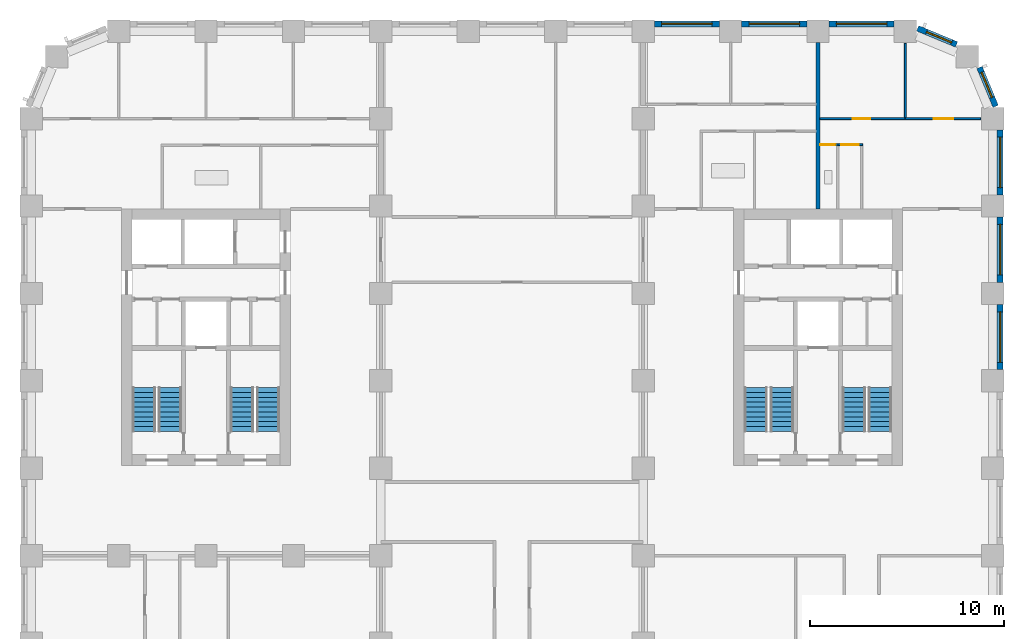
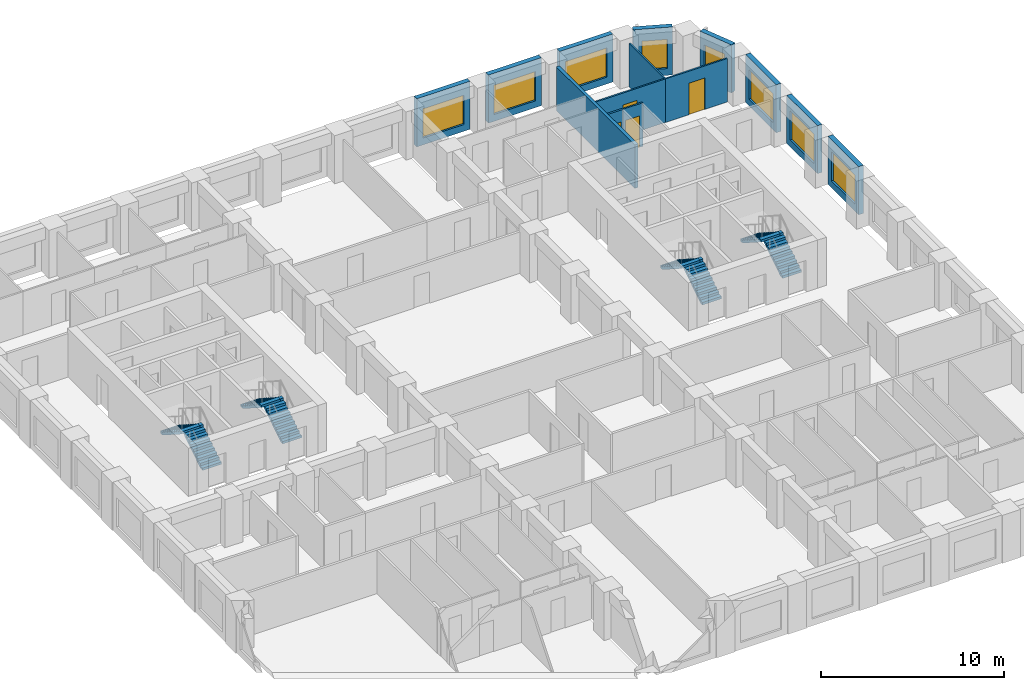
# One storey, part 9 of 12: 14 walls, 8 stair flights, 8 windows, 4 doors, 12 openings, 4 elements without a shape of their own.
"""IFC4 building model written with IfcOpenShell, lengths in metres."""

import ifcopenshell
import ifcopenshell.guid

model = None  # the IFC model being written
_history = None  # IfcOwnerHistory: only IFC2X3 demands one
_inside = {}  # id of a spatial element -> (the spatial element, [elements in it])
_under = {}  # id of a project, library or spatial element -> (it, [spatial elements below it])
_declared = {}  # id of a project -> (the project, [libraries it declares])
_typed = {}  # id of a type object -> (the type object, [elements of that type])
_made_of = {}  # id of a material, layer set ... -> (it, [elements and type objects made of it])


def new_model(schema):
    """Start an empty IFC model of exactly this schema.

    Asked for "IFC4X3", IfcOpenShell would pick the latest addendum, in which some entities
    have other attributes; the version numbers below select the first issue.
    IFC2X3 requires an IfcOwnerHistory on every rooted entity: one is made here for all.
    """
    global model, _history
    if schema == "IFC4X3":
        model = ifcopenshell.file(schema_version=(4, 3, 0, 0))
    else:
        model = ifcopenshell.file(schema=schema)
    _inside.clear()
    _under.clear()
    _declared.clear()
    _typed.clear()
    _made_of.clear()
    _history = None
    if model.schema == "IFC2X3":
        org = make("IfcOrganization", Name="unknown")
        user = make(
            "IfcPersonAndOrganization",
            ThePerson=make("IfcPerson", FamilyName="unknown"),
            TheOrganization=org,
        )
        app = make(
            "IfcApplication",
            ApplicationDeveloper=org,
            Version="unknown",
            ApplicationFullName="unknown",
            ApplicationIdentifier="unknown",
        )
        _history = make(
            "IfcOwnerHistory",
            OwningUser=user,
            OwningApplication=app,
            ChangeAction="ADDED",
            CreationDate=0,
        )
    return model


def make(cls, **values):
    """One entity of the class cls with the attributes given. An attribute that is None is left unset."""
    return model.create_entity(
        cls, **{name: value for name, value in values.items() if value is not None}
    )


def rooted(cls, **values):
    """An entity with a GlobalId (a new one), such as an element, a storey or a relation."""
    return make(cls, GlobalId=ifcopenshell.guid.new(), OwnerHistory=_history, **values)


def si_unit(unit_type, name, prefix=None):
    """IfcSIUnit, for example si_unit("LENGTHUNIT", "METRE", prefix="MILLI")."""
    return make("IfcSIUnit", UnitType=unit_type, Prefix=prefix, Name=name)


def assignment(units):
    """IfcUnitAssignment: the units of a project."""
    return None if units is None else make("IfcUnitAssignment", Units=units)


def point(xyz):
    """IfcCartesianPoint."""
    return None if xyz is None else make("IfcCartesianPoint", Coordinates=xyz)


def direction(xyz):
    """IfcDirection."""
    return None if xyz is None else make("IfcDirection", DirectionRatios=xyz)


def frame(location, z_axis=None, x_axis=None):
    """IfcAxis2Placement3D, a coordinate frame: its origin and axes. An axis left out is left unset."""
    return make(
        "IfcAxis2Placement3D",
        Location=point(location),
        Axis=direction(z_axis),
        RefDirection=direction(x_axis),
    )


def frame_2d(location, x_axis=None):
    """IfcAxis2Placement2D, a coordinate frame in the plane: its origin and x axis."""
    return make(
        "IfcAxis2Placement2D", Location=point(location), RefDirection=direction(x_axis)
    )


def origin():
    """The frame at (0, 0, 0) with its axes left unset."""
    return frame((0.0, 0.0, 0.0))


def place(relative_to, where):
    """IfcLocalPlacement: puts the frame where relative to a parent placement (None: the world)."""
    return make(
        "IfcLocalPlacement", PlacementRelTo=relative_to, RelativePlacement=where
    )


def context(
    kind, dimensions, precision=None, world=None, true_north=None, identifier=None
):
    """IfcGeometricRepresentationContext, for example the 3D "Model" context."""
    return make(
        "IfcGeometricRepresentationContext",
        ContextIdentifier=identifier,
        ContextType=kind,
        CoordinateSpaceDimension=dimensions,
        Precision=precision,
        WorldCoordinateSystem=world,
        TrueNorth=true_north,
    )


def subcontext(parent, identifier, kind, view, scale=None):
    """IfcGeometricRepresentationSubContext, for example "Body" below "Model"."""
    return make(
        "IfcGeometricRepresentationSubContext",
        ContextIdentifier=identifier,
        ContextType=kind,
        ParentContext=parent,
        TargetScale=scale,
        TargetView=view,
    )


def project(units=None, contexts=None):
    """IfcProject with its units and contexts."""
    return rooted(
        "IfcProject",
        Name="project",
        RepresentationContexts=contexts,
        UnitsInContext=assignment(units),
    )


def spatial(cls, under=None, at=None, **own):
    """A site, building, storey or space (cls), placed at a placement, below another one or the project."""
    s = rooted(cls, ObjectPlacement=at, **own)
    if under is not None:
        _under.setdefault(under.id(), (under, []))[1].append(s)
    return s


def polyline(points):
    """IfcPolyline through the points."""
    return make("IfcPolyline", Points=[point(p) for p in points])


def profile(cls, at=None, kind="AREA", **sizes):
    """A parametric profile (cls). Its sizes go by their IFC names, for example OverallWidth=200.0."""
    return make(cls, ProfileType=kind, Position=at, **sizes)


def rectangle(**sizes):
    """IfcRectangleProfileDef."""
    return profile("IfcRectangleProfileDef", **sizes)


def outline(outer, holes=None, kind="AREA"):
    """IfcArbitraryClosedProfileDef: a profile drawn as a closed curve; with holes, ...WithVoids."""
    if holes is None:
        return make("IfcArbitraryClosedProfileDef", ProfileType=kind, OuterCurve=outer)
    return make(
        "IfcArbitraryProfileDefWithVoids",
        ProfileType=kind,
        OuterCurve=outer,
        InnerCurves=holes,
    )


def extrude(swept, where, along, depth):
    """IfcExtrudedAreaSolid: the profile swept, set in the frame where, extruded along a direction by depth."""
    return make(
        "IfcExtrudedAreaSolid",
        SweptArea=swept,
        Position=where,
        ExtrudedDirection=direction(along),
        Depth=depth,
    )


def shape(context_of_items, identifier, shape_type, items):
    """IfcShapeRepresentation: the items that make up one representation, for example the "Body"."""
    return make(
        "IfcShapeRepresentation",
        ContextOfItems=context_of_items,
        RepresentationIdentifier=identifier,
        RepresentationType=shape_type,
        Items=items,
    )


def material(Name=None, Category=None):
    """IfcMaterial."""
    return make("IfcMaterial", Name=Name, Category=Category)


def layer(
    of_material, thickness, ventilated=None, Name=None, Category=None, Priority=None
):
    """IfcMaterialLayer: one layer of a wall or slab, of a material (None: an air gap)."""
    return make(
        "IfcMaterialLayer",
        Material=of_material,
        LayerThickness=thickness,
        IsVentilated=ventilated,
        Name=Name,
        Category=Category,
        Priority=Priority,
    )


def layer_set(layers, Name=None):
    """IfcMaterialLayerSet."""
    return make("IfcMaterialLayerSet", MaterialLayers=layers, LayerSetName=Name)


def made_of(thing, what):
    """Note that an element or type object is made of a material, layer set ...; save() writes the relation."""
    if what is not None:
        _made_of.setdefault(what.id(), (what, []))[1].append(thing)
    return thing


def type_object(cls, material=None, **own):
    """A type object (cls), such as IfcWallType, which elements share."""
    return made_of(rooted(cls, **own), material)


def element(
    cls,
    number,
    at=None,
    inside=None,
    cuts=None,
    type_object=None,
    material=None,
    context=None,
    identifier="Body",
    shape_type=None,
    held_by="IfcProductDefinitionShape",
    body=None,
    shapes=None,
    **own,
):
    """One element of the class cls, such as IfcWall. Its Tag is "e" and its number.

    at: its placement. inside: the storey or other place that contains it. cuts: it is an
    opening in that element (IfcRelVoidsElement). A single representation is given by context,
    identifier, shape_type and body (its items); several are given by shapes. held_by: the class
    of the entity that holds the representations. save() writes the other relations.
    """
    e = rooted(cls, Tag="e%d" % number, ObjectPlacement=at, **own)
    if body is not None:
        shapes = [shape(context, identifier, shape_type, body)]
    if shapes is not None:
        e.Representation = make(held_by, Representations=shapes)
    if inside is not None:
        _inside.setdefault(inside.id(), (inside, []))[1].append(e)
    if cuts is not None:
        rooted(
            "IfcRelVoidsElement", RelatingBuildingElement=cuts, RelatedOpeningElement=e
        )
    if type_object is not None:
        _typed.setdefault(type_object.id(), (type_object, []))[1].append(e)
    return made_of(e, material)


def fill(opening, filler):
    """IfcRelFillsElement: the door or window that sits in an opening."""
    return rooted(
        "IfcRelFillsElement",
        RelatingOpeningElement=opening,
        RelatedBuildingElement=filler,
    )


def aggregate(whole, parts):
    """IfcRelAggregates: a whole, such as a stair, and the parts it consists of."""
    return rooted("IfcRelAggregates", RelatingObject=whole, RelatedObjects=parts)


def save(model, path):
    """Write the relations noted so far, then the file.

    IfcRelAggregates (storeys below a building ...), IfcRelContainedInSpatialStructure (elements
    in a storey), IfcRelDefinesByType, IfcRelAssociatesMaterial and IfcRelDeclares: one each for
    every whole, place, type object, material and project.
    """
    for whole, parts in _under.values():
        aggregate(whole, parts)
    for where, things in _inside.values():
        rooted(
            "IfcRelContainedInSpatialStructure",
            RelatedElements=things,
            RelatingStructure=where,
        )
    for kind, things in _typed.values():
        rooted("IfcRelDefinesByType", RelatedObjects=things, RelatingType=kind)
    for what, things in _made_of.values():
        rooted("IfcRelAssociatesMaterial", RelatedObjects=things, RelatingMaterial=what)
    for by, libraries in _declared.values():
        rooted("IfcRelDeclares", RelatingContext=by, RelatedDefinitions=libraries)
    model.write(path)


model = new_model("IFC4")

# Units and contexts
model_context = context("Model", 3, precision=1e-05, world=origin(), true_north=direction((0.0, 1.0)))
body_context = subcontext(model_context, "Body", "Model", "MODEL_VIEW")
ifc_project = project(units=[si_unit("LENGTHUNIT", "METRE"), si_unit("AREAUNIT", "SQUARE_METRE"), si_unit("VOLUMEUNIT", "CUBIC_METRE"), si_unit("PLANEANGLEUNIT", "RADIAN"), si_unit("MASSUNIT", "GRAM", prefix="KILO")], contexts=[model_context])

# Site, building, storey
site_placement = place(None, origin())
site = spatial("IfcSite", under=ifc_project, at=site_placement, CompositionType="ELEMENT")
building_placement = place(site_placement, origin())
building = spatial("IfcBuilding", under=site, at=building_placement, Name="Girih Gate Residences", CompositionType="ELEMENT")
storey_placement = place(building_placement, frame((0.0, 0.0, 108.800048828125)))
storey = spatial("IfcBuildingStorey", under=building, at=storey_placement, Name="L30", CompositionType="ELEMENT", Elevation=108.800048828125)

# Wall, opening, door
ifc_material_1 = material(Name="Gypsum board on steel studs", Category="steel")
ifc_layer_1 = layer(ifc_material_1, 0.10009765625)
ifc_layer_set_1 = layer_set([ifc_layer_1], Name="Partition 100 mm")
wall_type_1 = type_object("IfcWallType", Name="Partition 100 mm", PredefinedType="PARTITIONING", material=ifc_layer_set_1)
wall_1_placement = place(storey_placement, frame((40.60009765625, 45.0, 0.0), z_axis=(0.0, 0.0, 1.0), x_axis=(1.0, 0.0, 0.0)))
wall_1 = element("IfcWall", 1, at=wall_1_placement, inside=storey, type_object=wall_type_1, Name="L30 partition", PredefinedType="PARTITIONING", context=body_context, shape_type="SweptSolid", body=[
    extrude(rectangle(XDim=4.39990234375, YDim=0.10009765625, at=frame_2d((2.199951171875, 0.0))), origin(), (0.0, 0.0, 1.0), 2.89990234375),
])
opening_1_placement = place(wall_1_placement, frame((1.699951171875, 0.0, 0.0)))
opening_1 = element("IfcOpeningElement", 2, at=opening_1_placement, cuts=wall_1, Name="Opening A30-030", PredefinedType="OPENING", context=body_context, shape_type="SweptSolid", body=[
    extrude(rectangle(XDim=0.89990234375, YDim=2.10009765625, at=frame_2d((0.449951171875, 1.050048828125))), frame((0.0, 0.06005859375, 0.0), z_axis=(0.0, -1.0, 0.0), x_axis=(1.0, 0.0, 0.0)), (0.0, 0.0, 1.0), 0.1201171875),
])
ifc_material_2 = material(Name="Timber", Category="wood")
door_type_1 = type_object("IfcDoorType", Name="Bedroom door 900x2100", OperationType="NOTDEFINED", PredefinedType="DOOR", material=ifc_material_2)
door_1_placement = place(opening_1_placement, origin())
door_1 = element("IfcDoor", 3, at=door_1_placement, inside=storey, type_object=door_type_1, Name="Door A30-030", OperationType="SINGLE_SWING_LEFT", OverallHeight=2.10009765625, OverallWidth=0.89990234375, PredefinedType="DOOR", context=body_context, shape_type="SweptSolid", body=[
    extrude(rectangle(XDim=0.89990234375, YDim=2.10009765625, at=frame_2d((0.449951171875, 1.050048828125))), frame((0.0, 0.02490234375, 0.0), z_axis=(0.0, -1.0, 0.0), x_axis=(1.0, 0.0, 0.0)), (0.0, 0.0, 1.0), 0.050048828125),
])
fill(opening_1, door_1)

# Wall
wall_2_placement = place(storey_placement, frame((45.0, 45.050048828125, 0.0), z_axis=(0.0, 0.0, 1.0), x_axis=(0.0, 1.0, 0.0)))
element("IfcWall", 4, at=wall_2_placement, inside=storey, type_object=wall_type_1, Name="L30 partition", PredefinedType="PARTITIONING", context=body_context, shape_type="SweptSolid", body=[
    extrude(rectangle(XDim=3.82763671875, YDim=0.10009765625, at=frame_2d((1.913818359375, 0.0))), origin(), (0.0, 0.0, 1.0), 2.89990234375),
])

# Wall, opening, door
wall_3_placement = place(storey_placement, frame((42.800048828125, 43.659912109375, 0.0), z_axis=(0.0, 0.0, 1.0), x_axis=(-1.0, 0.0, 0.0)))
wall_3 = element("IfcWall", 5, at=wall_3_placement, inside=storey, type_object=wall_type_1, Name="L30 partition", PredefinedType="PARTITIONING", context=body_context, shape_type="SweptSolid", body=[
    extrude(rectangle(XDim=1.27734375, YDim=0.10009765625, at=frame_2d((0.638671875, 0.0))), origin(), (0.0, 0.0, 1.0), 2.89990234375),
])
opening_2_placement = place(wall_3_placement, frame((0.213623046875, 0.0, 0.0)))
opening_2 = element("IfcOpeningElement", 6, at=opening_2_placement, cuts=wall_3, Name="Opening A30-031", PredefinedType="OPENING", context=body_context, shape_type="SweptSolid", body=[
    extrude(rectangle(XDim=0.89990234375, YDim=2.10009765625, at=frame_2d((0.449951171875, 1.050048828125))), frame((0.0, 0.06005859375, 0.0), z_axis=(0.0, -1.0, 0.0), x_axis=(1.0, 0.0, 0.0)), (0.0, 0.0, 1.0), 0.1201171875),
])
door_type_2 = type_object("IfcDoorType", Name="Kitchen door 900x2100", OperationType="NOTDEFINED", PredefinedType="DOOR", material=ifc_material_2)
door_2_placement = place(opening_2_placement, origin())
door_2 = element("IfcDoor", 7, at=door_2_placement, inside=storey, type_object=door_type_2, Name="Door A30-031", OperationType="SINGLE_SWING_RIGHT", OverallHeight=2.10009765625, OverallWidth=0.89990234375, PredefinedType="DOOR", context=body_context, shape_type="SweptSolid", body=[
    extrude(rectangle(XDim=0.89990234375, YDim=2.10009765625, at=frame_2d((0.449951171875, 1.050048828125))), frame((0.0, 0.02490234375, 0.0), z_axis=(0.0, -1.0, 0.0), x_axis=(1.0, 0.0, 0.0)), (0.0, 0.0, 1.0), 0.050048828125),
])
fill(opening_2, door_2)

wall_4_placement = place(storey_placement, frame((45.0, 45.0, 0.0), z_axis=(0.0, 0.0, 1.0), x_axis=(1.0, 0.0, 0.0)))
wall_4 = element("IfcWall", 8, at=wall_4_placement, inside=storey, type_object=wall_type_1, Name="L30 partition", PredefinedType="PARTITIONING", context=body_context, shape_type="SweptSolid", body=[
    extrude(rectangle(XDim=3.877685546875, YDim=0.10009765625, at=frame_2d((1.93896484375, 0.0))), origin(), (0.0, 0.0, 1.0), 2.89990234375),
])
opening_3_placement = place(wall_4_placement, frame((1.46240234375, 0.0, 0.0)))
opening_3 = element("IfcOpeningElement", 9, at=opening_3_placement, cuts=wall_4, Name="Opening A30-032", PredefinedType="OPENING", context=body_context, shape_type="SweptSolid", body=[
    extrude(rectangle(XDim=1.0, YDim=2.10009765625, at=frame_2d((0.5, 1.050048828125))), frame((0.0, 0.06005859375, 0.0), z_axis=(0.0, -1.0, 0.0), x_axis=(1.0, 0.0, 0.0)), (0.0, 0.0, 1.0), 0.1201171875),
])
door_type_3 = type_object("IfcDoorType", Name="Living room door 1000x2100", OperationType="NOTDEFINED", PredefinedType="DOOR", material=ifc_material_2)
door_3_placement = place(opening_3_placement, origin())
door_3 = element("IfcDoor", 10, at=door_3_placement, inside=storey, type_object=door_type_3, Name="Door A30-032", OperationType="SINGLE_SWING_RIGHT", OverallHeight=2.10009765625, OverallWidth=1.0, PredefinedType="DOOR", context=body_context, shape_type="SweptSolid", body=[
    extrude(rectangle(XDim=1.0, YDim=2.10009765625, at=frame_2d((0.5, 1.050048828125))), frame((0.0, 0.02490234375, 0.0), z_axis=(0.0, -1.0, 0.0), x_axis=(1.0, 0.0, 0.0)), (0.0, 0.0, 1.0), 0.050048828125),
])
fill(opening_3, door_3)

# Wall
ifc_layer_2 = layer(ifc_material_1, 0.199951171875)
ifc_layer_set_2 = layer_set([ifc_layer_2], Name="Party wall 200 mm")
wall_type_2 = type_object("IfcWallType", Name="Party wall 200 mm", PredefinedType="PARTITIONING", material=ifc_layer_set_2)
wall_5_placement = place(storey_placement, frame((40.5, 40.35009765625, 0.0), z_axis=(0.0, 0.0, 1.0), x_axis=(0.0, 1.0, 0.0)))
element("IfcWall", 11, at=wall_5_placement, inside=storey, type_object=wall_type_2, Name="L30 partition", PredefinedType="PARTITIONING", context=body_context, shape_type="SweptSolid", body=[
    extrude(rectangle(XDim=8.574951171875, YDim=0.199951171875, at=frame_2d((4.28759765625, 0.0))), origin(), (0.0, 0.0, 1.0), 2.89990234375),
])

# Wall, opening, window
ifc_material_3 = material(Name="Precast concrete C50/60", Category="concrete")
ifc_layer_3 = layer(ifc_material_3, 0.080078125, Name="Outer leaf")
ifc_material_4 = material(Name="Rigid PIR insulation")
ifc_layer_4 = layer(ifc_material_4, 0.14990234375, Name="Insulation")
ifc_material_5 = material(Name="Precast concrete C40/50", Category="concrete")
ifc_layer_5 = layer(ifc_material_5, 0.070068359375, Name="Inner leaf")
ifc_layer_set_3 = layer_set([ifc_layer_3, ifc_layer_4, ifc_layer_5], Name="Precast concrete C50/60 external wall 300")
wall_type_3 = type_object("IfcWallType", Name="Precast concrete C50/60 external wall 300", PredefinedType="SOLIDWALL", material=ifc_layer_set_3)
wall_6_placement = place(storey_placement, frame((49.875, 35.425048828125, 0.0), z_axis=(0.0, 0.0, 1.0), x_axis=(0.0, -1.0, 0.0)))
wall_6 = element("IfcWall", 12, at=wall_6_placement, inside=storey, type_object=wall_type_3, Name="External wall E0495_0045.6", PredefinedType="SOLIDWALL", context=body_context, shape_type="SweptSolid", body=[
    extrude(rectangle(XDim=3.35009765625, YDim=0.300048828125, at=frame_2d((1.675048828125, 0.0))), origin(), (0.0, 0.0, 1.0), 3.199951171875),
])
opening_4_placement = place(wall_6_placement, frame((0.375, 0.0, 0.449951171875)))
opening_4 = element("IfcOpeningElement", 13, at=opening_4_placement, cuts=wall_6, Name="Opening W-1A", PredefinedType="OPENING", context=body_context, shape_type="SweptSolid", body=[
    extrude(rectangle(XDim=2.60009765625, YDim=1.949951171875, at=frame_2d((1.300048828125, 0.97509765625))), frame((0.0, 0.159912109375, 0.0), z_axis=(0.0, -1.0, 0.0), x_axis=(1.0, 0.0, 0.0)), (0.0, 0.0, 1.0), 0.320068359375),
])
ifc_material_6 = material(Name="Double glazing in aluminium frame", Category="aluminium")
window_type_1 = type_object("IfcWindowType", Name="Window W-1A 2600x1950", PartitioningType="SINGLE_PANEL", PredefinedType="WINDOW", material=ifc_material_6)
window_1_placement = place(opening_4_placement, origin())
window_1 = element("IfcWindow", 14, at=window_1_placement, inside=storey, type_object=window_type_1, Name="Window W-1A E0495_0045.6", OverallHeight=1.949951171875, OverallWidth=2.60009765625, PartitioningType="SINGLE_PANEL", PredefinedType="WINDOW", context=body_context, shape_type="SweptSolid", body=[
    extrude(rectangle(XDim=2.60009765625, YDim=1.949951171875, at=frame_2d((1.300048828125, 0.97509765625))), frame((0.0, 0.030029296875, 0.0), z_axis=(0.0, -1.0, 0.0), x_axis=(1.0, 0.0, 0.0)), (0.0, 0.0, 1.0), 0.06005859375),
])
fill(opening_4, window_1)

wall_7_placement = place(storey_placement, frame((49.875, 39.925048828125, 0.0), z_axis=(0.0, 0.0, 1.0), x_axis=(0.0, -1.0, 0.0)))
wall_7 = element("IfcWall", 15, at=wall_7_placement, inside=storey, type_object=wall_type_3, Name="External wall E0495_0045.7", PredefinedType="SOLIDWALL", context=body_context, shape_type="SweptSolid", body=[
    extrude(rectangle(XDim=3.35009765625, YDim=0.300048828125, at=frame_2d((1.675048828125, 0.0))), origin(), (0.0, 0.0, 1.0), 3.199951171875),
])
opening_5_placement = place(wall_7_placement, frame((0.375, 0.0, 0.449951171875)))
opening_5 = element("IfcOpeningElement", 16, at=opening_5_placement, cuts=wall_7, Name="Opening W-1A", PredefinedType="OPENING", context=body_context, shape_type="SweptSolid", body=[
    extrude(rectangle(XDim=2.60009765625, YDim=1.949951171875, at=frame_2d((1.300048828125, 0.97509765625))), frame((0.0, 0.159912109375, 0.0), z_axis=(0.0, -1.0, 0.0), x_axis=(1.0, 0.0, 0.0)), (0.0, 0.0, 1.0), 0.320068359375),
])
window_2_placement = place(opening_5_placement, origin())
window_2 = element("IfcWindow", 17, at=window_2_placement, inside=storey, type_object=window_type_1, Name="Window W-1A E0495_0045.7", OverallHeight=1.949951171875, OverallWidth=2.60009765625, PartitioningType="SINGLE_PANEL", PredefinedType="WINDOW", context=body_context, shape_type="SweptSolid", body=[
    extrude(rectangle(XDim=2.60009765625, YDim=1.949951171875, at=frame_2d((1.300048828125, 0.97509765625))), frame((0.0, 0.030029296875, 0.0), z_axis=(0.0, -1.0, 0.0), x_axis=(1.0, 0.0, 0.0)), (0.0, 0.0, 1.0), 0.06005859375),
])
fill(opening_5, window_2)

wall_8_placement = place(storey_placement, frame((49.875, 44.425048828125, 0.0), z_axis=(0.0, 0.0, 1.0), x_axis=(0.0, -1.0, 0.0)))
wall_8 = element("IfcWall", 18, at=wall_8_placement, inside=storey, type_object=wall_type_3, Name="External wall E0495_0045.8", PredefinedType="SOLIDWALL", context=body_context, shape_type="SweptSolid", body=[
    extrude(rectangle(XDim=3.35009765625, YDim=0.300048828125, at=frame_2d((1.675048828125, 0.0))), origin(), (0.0, 0.0, 1.0), 3.199951171875),
])
opening_6_placement = place(wall_8_placement, frame((0.375, 0.0, 0.449951171875)))
opening_6 = element("IfcOpeningElement", 19, at=opening_6_placement, cuts=wall_8, Name="Opening W-1A", PredefinedType="OPENING", context=body_context, shape_type="SweptSolid", body=[
    extrude(rectangle(XDim=2.60009765625, YDim=1.949951171875, at=frame_2d((1.300048828125, 0.97509765625))), frame((0.0, 0.159912109375, 0.0), z_axis=(0.0, -1.0, 0.0), x_axis=(1.0, 0.0, 0.0)), (0.0, 0.0, 1.0), 0.320068359375),
])
window_3_placement = place(opening_6_placement, origin())
window_3 = element("IfcWindow", 20, at=window_3_placement, inside=storey, type_object=window_type_1, Name="Window W-1A E0495_0045.8", OverallHeight=1.949951171875, OverallWidth=2.60009765625, PartitioningType="SINGLE_PANEL", PredefinedType="WINDOW", context=body_context, shape_type="SweptSolid", body=[
    extrude(rectangle(XDim=2.60009765625, YDim=1.949951171875, at=frame_2d((1.300048828125, 0.97509765625))), frame((0.0, 0.030029296875, 0.0), z_axis=(0.0, -1.0, 0.0), x_axis=(1.0, 0.0, 0.0)), (0.0, 0.0, 1.0), 0.06005859375),
])
fill(opening_6, window_3)

wall_9_placement = place(storey_placement, frame((48.81591796875, 47.63134765625, 0.0), z_axis=(0.0, 0.0, 1.0), x_axis=(0.382723818695, -0.923862802911, 0.0)))
wall_9 = element("IfcWall", 21, at=wall_9_placement, inside=storey, type_object=wall_type_3, Name="External wall NE0495_0450.0", PredefinedType="SOLIDWALL", context=body_context, shape_type="SweptSolid", body=[
    extrude(rectangle(XDim=2.163818359375, YDim=0.300048828125, at=frame_2d((1.08203125, 0.0))), origin(), (0.0, 0.0, 1.0), 3.199951171875),
])
opening_7_placement = place(wall_9_placement, frame((0.270751953125, 0.0, 0.449951171875)))
opening_7 = element("IfcOpeningElement", 22, at=opening_7_placement, cuts=wall_9, Name="Opening W-2D", PredefinedType="OPENING", context=body_context, shape_type="SweptSolid", body=[
    extrude(rectangle(XDim=1.39990234375, YDim=1.949951171875, at=frame_2d((0.699951171875, 0.97509765625))), frame((0.0, 0.159912109375, 0.0), z_axis=(0.0, -1.0, 0.0), x_axis=(1.0, 0.0, 0.0)), (0.0, 0.0, 1.0), 0.320068359375),
])
window_type_2 = type_object("IfcWindowType", Name="Window W-2D 1400x1950", PartitioningType="SINGLE_PANEL", PredefinedType="WINDOW", material=ifc_material_6)
window_4_placement = place(opening_7_placement, origin())
window_4 = element("IfcWindow", 23, at=window_4_placement, inside=storey, type_object=window_type_2, Name="Window W-2D NE0495_0450.0", OverallHeight=1.949951171875, OverallWidth=1.39990234375, PartitioningType="SINGLE_PANEL", PredefinedType="WINDOW", context=body_context, shape_type="SweptSolid", body=[
    extrude(rectangle(XDim=1.39990234375, YDim=1.949951171875, at=frame_2d((0.699951171875, 0.97509765625))), frame((0.0, 0.030029296875, 0.0), z_axis=(0.0, -1.0, 0.0), x_axis=(1.0, 0.0, 0.0)), (0.0, 0.0, 1.0), 0.06005859375),
])
fill(opening_7, window_4)

wall_10_placement = place(storey_placement, frame((45.63232421875, 49.64404296875, 0.0), z_axis=(0.0, 0.0, 1.0), x_axis=(0.923862802911, -0.382723818695, 0.0)))
wall_10 = element("IfcWall", 24, at=wall_10_placement, inside=storey, type_object=wall_type_3, Name="External wall NE0482_0482.0", PredefinedType="SOLIDWALL", context=body_context, shape_type="SweptSolid", body=[
    extrude(rectangle(XDim=2.163818359375, YDim=0.300048828125, at=frame_2d((1.08203125, 0.0))), origin(), (0.0, 0.0, 1.0), 3.199951171875),
])
opening_8_placement = place(wall_10_placement, frame((0.492919921875, 0.0, 0.449951171875)))
opening_8 = element("IfcOpeningElement", 25, at=opening_8_placement, cuts=wall_10, Name="Opening W-2D", PredefinedType="OPENING", context=body_context, shape_type="SweptSolid", body=[
    extrude(rectangle(XDim=1.39990234375, YDim=1.949951171875, at=frame_2d((0.699951171875, 0.97509765625))), frame((0.0, 0.159912109375, 0.0), z_axis=(0.0, -1.0, 0.0), x_axis=(1.0, 0.0, 0.0)), (0.0, 0.0, 1.0), 0.320068359375),
])
window_5_placement = place(opening_8_placement, origin())
window_5 = element("IfcWindow", 26, at=window_5_placement, inside=storey, type_object=window_type_2, Name="Window W-2D NE0482_0482.0", OverallHeight=1.949951171875, OverallWidth=1.39990234375, PartitioningType="SINGLE_PANEL", PredefinedType="WINDOW", context=body_context, shape_type="SweptSolid", body=[
    extrude(rectangle(XDim=1.39990234375, YDim=1.949951171875, at=frame_2d((0.699951171875, 0.97509765625))), frame((0.0, 0.030029296875, 0.0), z_axis=(0.0, -1.0, 0.0), x_axis=(1.0, 0.0, 0.0)), (0.0, 0.0, 1.0), 0.06005859375),
])
fill(opening_8, window_5)

wall_11_placement = place(storey_placement, frame((41.074951171875, 49.875, 0.0), z_axis=(0.0, 0.0, 1.0), x_axis=(1.0, 0.0, 0.0)))
wall_11 = element("IfcWall", 27, at=wall_11_placement, inside=storey, type_object=wall_type_3, Name="External wall N0450_0495.0", PredefinedType="SOLIDWALL", context=body_context, shape_type="SweptSolid", body=[
    extrude(rectangle(XDim=3.35009765625, YDim=0.300048828125, at=frame_2d((1.675048828125, 0.0))), origin(), (0.0, 0.0, 1.0), 3.199951171875),
])
opening_9_placement = place(wall_11_placement, frame((0.375, 0.0, 0.449951171875)))
opening_9 = element("IfcOpeningElement", 28, at=opening_9_placement, cuts=wall_11, Name="Opening W-1A", PredefinedType="OPENING", context=body_context, shape_type="SweptSolid", body=[
    extrude(rectangle(XDim=2.60009765625, YDim=1.949951171875, at=frame_2d((1.300048828125, 0.97509765625))), frame((0.0, 0.159912109375, 0.0), z_axis=(0.0, -1.0, 0.0), x_axis=(1.0, 0.0, 0.0)), (0.0, 0.0, 1.0), 0.320068359375),
])
window_6_placement = place(opening_9_placement, origin())
window_6 = element("IfcWindow", 29, at=window_6_placement, inside=storey, type_object=window_type_1, Name="Window W-1A N0450_0495.0", OverallHeight=1.949951171875, OverallWidth=2.60009765625, PartitioningType="SINGLE_PANEL", PredefinedType="WINDOW", context=body_context, shape_type="SweptSolid", body=[
    extrude(rectangle(XDim=2.60009765625, YDim=1.949951171875, at=frame_2d((1.300048828125, 0.97509765625))), frame((0.0, 0.030029296875, 0.0), z_axis=(0.0, -1.0, 0.0), x_axis=(1.0, 0.0, 0.0)), (0.0, 0.0, 1.0), 0.06005859375),
])
fill(opening_9, window_6)

wall_12_placement = place(storey_placement, frame((36.574951171875, 49.875, 0.0), z_axis=(0.0, 0.0, 1.0), x_axis=(1.0, 0.0, 0.0)))
wall_12 = element("IfcWall", 30, at=wall_12_placement, inside=storey, type_object=wall_type_3, Name="External wall N0450_0495.1", PredefinedType="SOLIDWALL", context=body_context, shape_type="SweptSolid", body=[
    extrude(rectangle(XDim=3.35009765625, YDim=0.300048828125, at=frame_2d((1.675048828125, 0.0))), origin(), (0.0, 0.0, 1.0), 3.199951171875),
])
opening_10_placement = place(wall_12_placement, frame((0.375, 0.0, 0.449951171875)))
opening_10 = element("IfcOpeningElement", 31, at=opening_10_placement, cuts=wall_12, Name="Opening W-1A", PredefinedType="OPENING", context=body_context, shape_type="SweptSolid", body=[
    extrude(rectangle(XDim=2.60009765625, YDim=1.949951171875, at=frame_2d((1.300048828125, 0.97509765625))), frame((0.0, 0.159912109375, 0.0), z_axis=(0.0, -1.0, 0.0), x_axis=(1.0, 0.0, 0.0)), (0.0, 0.0, 1.0), 0.320068359375),
])
window_7_placement = place(opening_10_placement, origin())
window_7 = element("IfcWindow", 32, at=window_7_placement, inside=storey, type_object=window_type_1, Name="Window W-1A N0450_0495.1", OverallHeight=1.949951171875, OverallWidth=2.60009765625, PartitioningType="SINGLE_PANEL", PredefinedType="WINDOW", context=body_context, shape_type="SweptSolid", body=[
    extrude(rectangle(XDim=2.60009765625, YDim=1.949951171875, at=frame_2d((1.300048828125, 0.97509765625))), frame((0.0, 0.030029296875, 0.0), z_axis=(0.0, -1.0, 0.0), x_axis=(1.0, 0.0, 0.0)), (0.0, 0.0, 1.0), 0.06005859375),
])
fill(opening_10, window_7)

wall_13_placement = place(storey_placement, frame((32.074951171875, 49.875, 0.0), z_axis=(0.0, 0.0, 1.0), x_axis=(1.0, 0.0, 0.0)))
wall_13 = element("IfcWall", 33, at=wall_13_placement, inside=storey, type_object=wall_type_3, Name="External wall N0450_0495.2", PredefinedType="SOLIDWALL", context=body_context, shape_type="SweptSolid", body=[
    extrude(rectangle(XDim=3.35009765625, YDim=0.300048828125, at=frame_2d((1.675048828125, 0.0))), origin(), (0.0, 0.0, 1.0), 3.199951171875),
])
opening_11_placement = place(wall_13_placement, frame((0.375, 0.0, 0.449951171875)))
opening_11 = element("IfcOpeningElement", 34, at=opening_11_placement, cuts=wall_13, Name="Opening W-1A", PredefinedType="OPENING", context=body_context, shape_type="SweptSolid", body=[
    extrude(rectangle(XDim=2.60009765625, YDim=1.949951171875, at=frame_2d((1.300048828125, 0.97509765625))), frame((0.0, 0.159912109375, 0.0), z_axis=(0.0, -1.0, 0.0), x_axis=(1.0, 0.0, 0.0)), (0.0, 0.0, 1.0), 0.320068359375),
])
window_8_placement = place(opening_11_placement, origin())
window_8 = element("IfcWindow", 35, at=window_8_placement, inside=storey, type_object=window_type_1, Name="Window W-1A N0450_0495.2", OverallHeight=1.949951171875, OverallWidth=2.60009765625, PartitioningType="SINGLE_PANEL", PredefinedType="WINDOW", context=body_context, shape_type="SweptSolid", body=[
    extrude(rectangle(XDim=2.60009765625, YDim=1.949951171875, at=frame_2d((1.300048828125, 0.97509765625))), frame((0.0, 0.030029296875, 0.0), z_axis=(0.0, -1.0, 0.0), x_axis=(1.0, 0.0, 0.0)), (0.0, 0.0, 1.0), 0.06005859375),
])
fill(opening_11, window_8)

# Wall, opening, door
ifc_layer_6 = layer(ifc_material_1, 0.125)
ifc_layer_set_4 = layer_set([ifc_layer_6], Name="Wet room wall 125 mm")
wall_type_4 = type_object("IfcWallType", Name="Wet room wall 125 mm", PredefinedType="PARTITIONING", material=ifc_layer_set_4)
wall_14_placement = place(storey_placement, frame((41.522705078125, 43.659912109375, 0.0), z_axis=(0.0, 0.0, 1.0), x_axis=(-1.0, 0.0, 0.0)))
wall_14 = element("IfcWall", 36, at=wall_14_placement, inside=storey, type_object=wall_type_4, Name="L30 partition", PredefinedType="PARTITIONING", context=body_context, shape_type="SweptSolid", body=[
    extrude(rectangle(XDim=0.922607421875, YDim=0.125, at=frame_2d((0.46142578125, 0.0))), origin(), (0.0, 0.0, 1.0), 2.89990234375),
])
opening_12_placement = place(wall_14_placement, frame((0.111328125, 0.0, 0.0)))
opening_12 = element("IfcOpeningElement", 37, at=opening_12_placement, cuts=wall_14, Name="Opening A30-029", PredefinedType="OPENING", context=body_context, shape_type="SweptSolid", body=[
    extrude(rectangle(XDim=0.800048828125, YDim=2.10009765625, at=frame_2d((0.39990234375, 1.050048828125))), frame((0.0, 0.072509765625, 0.0), z_axis=(0.0, -1.0, 0.0), x_axis=(1.0, 0.0, 0.0)), (0.0, 0.0, 1.0), 0.14501953125),
])
door_type_4 = type_object("IfcDoorType", Name="Bathroom door 800x2100", OperationType="NOTDEFINED", PredefinedType="DOOR", material=ifc_material_2)
door_4_placement = place(opening_12_placement, origin())
door_4 = element("IfcDoor", 38, at=door_4_placement, inside=storey, type_object=door_type_4, Name="Door A30-029", OperationType="SINGLE_SWING_RIGHT", OverallHeight=2.10009765625, OverallWidth=0.800048828125, PredefinedType="DOOR", context=body_context, shape_type="SweptSolid", body=[
    extrude(rectangle(XDim=0.800048828125, YDim=2.10009765625, at=frame_2d((0.39990234375, 1.050048828125))), frame((0.0, 0.02490234375, 0.0), z_axis=(0.0, -1.0, 0.0), x_axis=(1.0, 0.0, 0.0)), (0.0, 0.0, 1.0), 0.050048828125),
])
fill(opening_12, door_4)

# Stair, stair flights
ifc_material_7 = material(Name="Concrete C40/50", Category="concrete")
stair_type = type_object("IfcStairType", Name="Exit stair", PredefinedType="HALF_TURN_STAIR", material=ifc_material_7)
stair_1_placement = place(storey_placement, origin())
stair_1 = element("IfcStair", 39, at=stair_1_placement, inside=storey, type_object=stair_type, Name="L30 Exit Stair ST-W1", PredefinedType="HALF_TURN_STAIR")
stair_flight_type = type_object("IfcStairFlightType", Name="Stair flight 1200", PredefinedType="STRAIGHT", material=ifc_material_7)
stair_flight_1_placement = place(storey_placement, frame((7.14990234375, 28.89990234375, 0.0), z_axis=(0.0, 0.0, 1.0), x_axis=(0.0, 1.0, 0.0)))
stair_flight_1 = element("IfcStairFlight", 40, at=stair_flight_1_placement, type_object=stair_flight_type, Name="ST-W1 flight 1", NumberOfRisers=10, NumberOfTreads=9, PredefinedType="STRAIGHT", RiserHeight=0.16, TreadLength=0.25, context=body_context, shape_type="SweptSolid", body=[
    extrude(outline(polyline([(0.0, 0.0), (0.0, 0.159912109375), (0.25, 0.159912109375), (0.25, 0.320068359375), (0.5, 0.320068359375), (0.5, 0.47998046875), (0.75, 0.47998046875), (0.75, 0.639892578125), (1.0, 0.639892578125), (1.0, 0.800048828125), (1.25, 0.800048828125), (1.25, 0.9599609375), (1.5, 0.9599609375), (1.5, 1.1201171875), (1.75, 1.1201171875), (1.75, 1.280029296875), (2.0, 1.280029296875), (2.0, 1.43994140625), (2.25, 1.43994140625), (2.25, 1.60009765625), (2.25, 1.29736328125), (0.222900390625, 0.0), (0.0, 0.0)])), frame((0.0, 0.60009765625, 0.0), z_axis=(0.0, -1.0, 0.0), x_axis=(1.0, 0.0, 0.0)), (0.0, 0.0, 1.0), 1.199951171875),
])
stair_flight_2_placement = place(storey_placement, frame((5.800048828125, 31.14990234375, 1.599853515625), z_axis=(0.0, 0.0, 1.0), x_axis=(0.0, -1.0, 0.0)))
stair_flight_2 = element("IfcStairFlight", 41, at=stair_flight_2_placement, type_object=stair_flight_type, Name="ST-W1 flight 2", NumberOfRisers=10, NumberOfTreads=9, PredefinedType="STRAIGHT", RiserHeight=0.16, TreadLength=0.25, context=body_context, shape_type="SweptSolid", body=[
    extrude(outline(polyline([(0.0, 0.0), (0.0, 0.159912109375), (0.25, 0.159912109375), (0.25, 0.320068359375), (0.5, 0.320068359375), (0.5, 0.47998046875), (0.75, 0.47998046875), (0.75, 0.639892578125), (1.0, 0.639892578125), (1.0, 0.800048828125), (1.25, 0.800048828125), (1.25, 0.9599609375), (1.5, 0.9599609375), (1.5, 1.1201171875), (1.75, 1.1201171875), (1.75, 1.280029296875), (2.0, 1.280029296875), (2.0, 1.43994140625), (2.25, 1.43994140625), (2.25, 1.60009765625), (2.25, 1.29736328125), (0.222900390625, 0.0), (0.0, 0.0)])), frame((0.0, 0.60009765625, 0.0), z_axis=(0.0, -1.0, 0.0), x_axis=(1.0, 0.0, 0.0)), (0.0, 0.0, 1.0), 1.199951171875),
])
aggregate(stair_1, [stair_flight_1, stair_flight_2])

stair_2_placement = place(storey_placement, origin())
stair_2 = element("IfcStair", 42, at=stair_2_placement, inside=storey, type_object=stair_type, Name="L30 Exit Stair ST-W2", PredefinedType="HALF_TURN_STAIR")
stair_flight_3_placement = place(storey_placement, frame((12.199951171875, 28.89990234375, 0.0), z_axis=(0.0, 0.0, 1.0), x_axis=(0.0, 1.0, 0.0)))
stair_flight_3 = element("IfcStairFlight", 43, at=stair_flight_3_placement, type_object=stair_flight_type, Name="ST-W2 flight 1", NumberOfRisers=10, NumberOfTreads=9, PredefinedType="STRAIGHT", RiserHeight=0.16, TreadLength=0.25, context=body_context, shape_type="SweptSolid", body=[
    extrude(outline(polyline([(0.0, 0.0), (0.0, 0.159912109375), (0.25, 0.159912109375), (0.25, 0.320068359375), (0.5, 0.320068359375), (0.5, 0.47998046875), (0.75, 0.47998046875), (0.75, 0.639892578125), (1.0, 0.639892578125), (1.0, 0.800048828125), (1.25, 0.800048828125), (1.25, 0.9599609375), (1.5, 0.9599609375), (1.5, 1.1201171875), (1.75, 1.1201171875), (1.75, 1.280029296875), (2.0, 1.280029296875), (2.0, 1.43994140625), (2.25, 1.43994140625), (2.25, 1.60009765625), (2.25, 1.29736328125), (0.222900390625, 0.0), (0.0, 0.0)])), frame((0.0, 0.60009765625, 0.0), z_axis=(0.0, -1.0, 0.0), x_axis=(1.0, 0.0, 0.0)), (0.0, 0.0, 1.0), 1.199951171875),
])
stair_flight_4_placement = place(storey_placement, frame((10.85009765625, 31.14990234375, 1.599853515625), z_axis=(0.0, 0.0, 1.0), x_axis=(0.0, -1.0, 0.0)))
stair_flight_4 = element("IfcStairFlight", 44, at=stair_flight_4_placement, type_object=stair_flight_type, Name="ST-W2 flight 2", NumberOfRisers=10, NumberOfTreads=9, PredefinedType="STRAIGHT", RiserHeight=0.16, TreadLength=0.25, context=body_context, shape_type="SweptSolid", body=[
    extrude(outline(polyline([(0.0, 0.0), (0.0, 0.159912109375), (0.25, 0.159912109375), (0.25, 0.320068359375), (0.5, 0.320068359375), (0.5, 0.47998046875), (0.75, 0.47998046875), (0.75, 0.639892578125), (1.0, 0.639892578125), (1.0, 0.800048828125), (1.25, 0.800048828125), (1.25, 0.9599609375), (1.5, 0.9599609375), (1.5, 1.1201171875), (1.75, 1.1201171875), (1.75, 1.280029296875), (2.0, 1.280029296875), (2.0, 1.43994140625), (2.25, 1.43994140625), (2.25, 1.60009765625), (2.25, 1.29736328125), (0.222900390625, 0.0), (0.0, 0.0)])), frame((0.0, 0.60009765625, 0.0), z_axis=(0.0, -1.0, 0.0), x_axis=(1.0, 0.0, 0.0)), (0.0, 0.0, 1.0), 1.199951171875),
])
aggregate(stair_2, [stair_flight_3, stair_flight_4])

stair_3_placement = place(storey_placement, origin())
stair_3 = element("IfcStair", 45, at=stair_3_placement, inside=storey, type_object=stair_type, Name="L30 Exit Stair ST-E1", PredefinedType="HALF_TURN_STAIR")
stair_flight_5_placement = place(storey_placement, frame((43.699951171875, 28.89990234375, 0.0), z_axis=(0.0, 0.0, 1.0), x_axis=(0.0, 1.0, 0.0)))
stair_flight_5 = element("IfcStairFlight", 46, at=stair_flight_5_placement, type_object=stair_flight_type, Name="ST-E1 flight 1", NumberOfRisers=10, NumberOfTreads=9, PredefinedType="STRAIGHT", RiserHeight=0.16, TreadLength=0.25, context=body_context, shape_type="SweptSolid", body=[
    extrude(outline(polyline([(0.0, 0.0), (0.0, 0.159912109375), (0.25, 0.159912109375), (0.25, 0.320068359375), (0.5, 0.320068359375), (0.5, 0.47998046875), (0.75, 0.47998046875), (0.75, 0.639892578125), (1.0, 0.639892578125), (1.0, 0.800048828125), (1.25, 0.800048828125), (1.25, 0.9599609375), (1.5, 0.9599609375), (1.5, 1.1201171875), (1.75, 1.1201171875), (1.75, 1.280029296875), (2.0, 1.280029296875), (2.0, 1.43994140625), (2.25, 1.43994140625), (2.25, 1.60009765625), (2.25, 1.29736328125), (0.222900390625, 0.0), (0.0, 0.0)])), frame((0.0, 0.60009765625, 0.0), z_axis=(0.0, -1.0, 0.0), x_axis=(1.0, 0.0, 0.0)), (0.0, 0.0, 1.0), 1.199951171875),
])
stair_flight_6_placement = place(storey_placement, frame((42.35009765625, 31.14990234375, 1.599853515625), z_axis=(0.0, 0.0, 1.0), x_axis=(0.0, -1.0, 0.0)))
stair_flight_6 = element("IfcStairFlight", 47, at=stair_flight_6_placement, type_object=stair_flight_type, Name="ST-E1 flight 2", NumberOfRisers=10, NumberOfTreads=9, PredefinedType="STRAIGHT", RiserHeight=0.16, TreadLength=0.25, context=body_context, shape_type="SweptSolid", body=[
    extrude(outline(polyline([(0.0, 0.0), (0.0, 0.159912109375), (0.25, 0.159912109375), (0.25, 0.320068359375), (0.5, 0.320068359375), (0.5, 0.47998046875), (0.75, 0.47998046875), (0.75, 0.639892578125), (1.0, 0.639892578125), (1.0, 0.800048828125), (1.25, 0.800048828125), (1.25, 0.9599609375), (1.5, 0.9599609375), (1.5, 1.1201171875), (1.75, 1.1201171875), (1.75, 1.280029296875), (2.0, 1.280029296875), (2.0, 1.43994140625), (2.25, 1.43994140625), (2.25, 1.60009765625), (2.25, 1.29736328125), (0.222900390625, 0.0), (0.0, 0.0)])), frame((0.0, 0.60009765625, 0.0), z_axis=(0.0, -1.0, 0.0), x_axis=(1.0, 0.0, 0.0)), (0.0, 0.0, 1.0), 1.199951171875),
])
aggregate(stair_3, [stair_flight_5, stair_flight_6])

stair_4_placement = place(storey_placement, origin())
stair_4 = element("IfcStair", 48, at=stair_4_placement, inside=storey, type_object=stair_type, Name="L30 Exit Stair ST-E2", PredefinedType="HALF_TURN_STAIR")
stair_flight_7_placement = place(storey_placement, frame((38.64990234375, 28.89990234375, 0.0), z_axis=(0.0, 0.0, 1.0), x_axis=(0.0, 1.0, 0.0)))
stair_flight_7 = element("IfcStairFlight", 49, at=stair_flight_7_placement, type_object=stair_flight_type, Name="ST-E2 flight 1", NumberOfRisers=10, NumberOfTreads=9, PredefinedType="STRAIGHT", RiserHeight=0.16, TreadLength=0.25, context=body_context, shape_type="SweptSolid", body=[
    extrude(outline(polyline([(0.0, 0.0), (0.0, 0.159912109375), (0.25, 0.159912109375), (0.25, 0.320068359375), (0.5, 0.320068359375), (0.5, 0.47998046875), (0.75, 0.47998046875), (0.75, 0.639892578125), (1.0, 0.639892578125), (1.0, 0.800048828125), (1.25, 0.800048828125), (1.25, 0.9599609375), (1.5, 0.9599609375), (1.5, 1.1201171875), (1.75, 1.1201171875), (1.75, 1.280029296875), (2.0, 1.280029296875), (2.0, 1.43994140625), (2.25, 1.43994140625), (2.25, 1.60009765625), (2.25, 1.29736328125), (0.222900390625, 0.0), (0.0, 0.0)])), frame((0.0, 0.60009765625, 0.0), z_axis=(0.0, -1.0, 0.0), x_axis=(1.0, 0.0, 0.0)), (0.0, 0.0, 1.0), 1.199951171875),
])
stair_flight_8_placement = place(storey_placement, frame((37.300048828125, 31.14990234375, 1.599853515625), z_axis=(0.0, 0.0, 1.0), x_axis=(0.0, -1.0, 0.0)))
stair_flight_8 = element("IfcStairFlight", 50, at=stair_flight_8_placement, type_object=stair_flight_type, Name="ST-E2 flight 2", NumberOfRisers=10, NumberOfTreads=9, PredefinedType="STRAIGHT", RiserHeight=0.16, TreadLength=0.25, context=body_context, shape_type="SweptSolid", body=[
    extrude(outline(polyline([(0.0, 0.0), (0.0, 0.159912109375), (0.25, 0.159912109375), (0.25, 0.320068359375), (0.5, 0.320068359375), (0.5, 0.47998046875), (0.75, 0.47998046875), (0.75, 0.639892578125), (1.0, 0.639892578125), (1.0, 0.800048828125), (1.25, 0.800048828125), (1.25, 0.9599609375), (1.5, 0.9599609375), (1.5, 1.1201171875), (1.75, 1.1201171875), (1.75, 1.280029296875), (2.0, 1.280029296875), (2.0, 1.43994140625), (2.25, 1.43994140625), (2.25, 1.60009765625), (2.25, 1.29736328125), (0.222900390625, 0.0), (0.0, 0.0)])), frame((0.0, 0.60009765625, 0.0), z_axis=(0.0, -1.0, 0.0), x_axis=(1.0, 0.0, 0.0)), (0.0, 0.0, 1.0), 1.199951171875),
])
aggregate(stair_4, [stair_flight_7, stair_flight_8])

save(model, "model.ifc")
